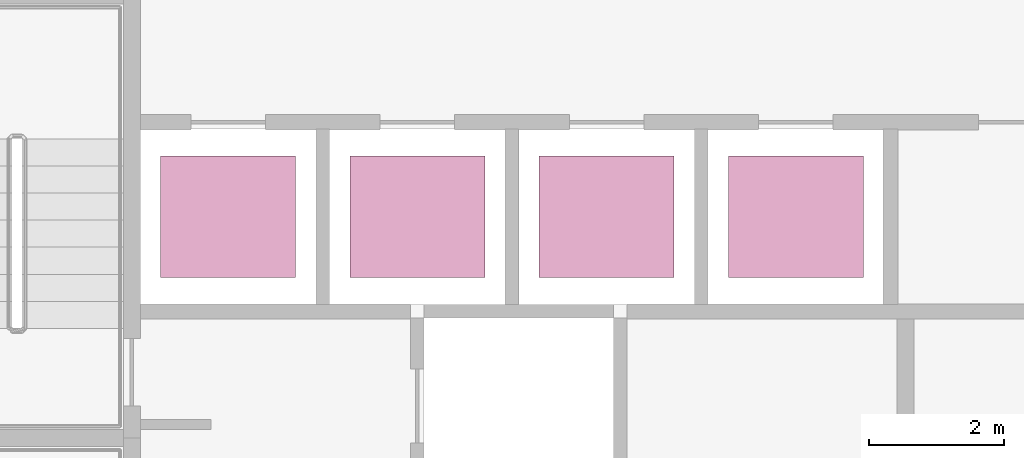
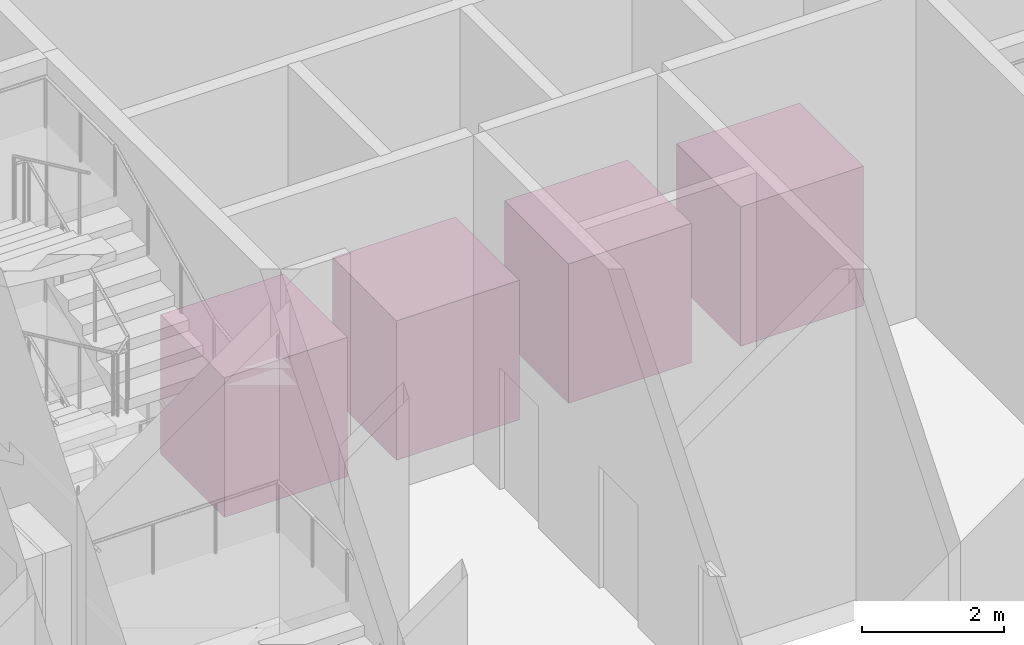
# One storey, part 32 of 32: 4 transport elements.
"""IFC4 building model written with IfcOpenShell, lengths in metres."""

import ifcopenshell
import ifcopenshell.guid

model = None  # the IFC model being written
_history = None  # IfcOwnerHistory: only IFC2X3 demands one
_inside = {}  # id of a spatial element -> (the spatial element, [elements in it])
_under = {}  # id of a project, library or spatial element -> (it, [spatial elements below it])
_declared = {}  # id of a project -> (the project, [libraries it declares])
_typed = {}  # id of a type object -> (the type object, [elements of that type])
_made_of = {}  # id of a material, layer set ... -> (it, [elements and type objects made of it])


def new_model(schema):
    """Start an empty IFC model of exactly this schema.

    Asked for "IFC4X3", IfcOpenShell would pick the latest addendum, in which some entities
    have other attributes; the version numbers below select the first issue.
    IFC2X3 requires an IfcOwnerHistory on every rooted entity: one is made here for all.
    """
    global model, _history
    if schema == "IFC4X3":
        model = ifcopenshell.file(schema_version=(4, 3, 0, 0))
    else:
        model = ifcopenshell.file(schema=schema)
    _inside.clear()
    _under.clear()
    _declared.clear()
    _typed.clear()
    _made_of.clear()
    _history = None
    if model.schema == "IFC2X3":
        org = make("IfcOrganization", Name="unknown")
        user = make(
            "IfcPersonAndOrganization",
            ThePerson=make("IfcPerson", FamilyName="unknown"),
            TheOrganization=org,
        )
        app = make(
            "IfcApplication",
            ApplicationDeveloper=org,
            Version="unknown",
            ApplicationFullName="unknown",
            ApplicationIdentifier="unknown",
        )
        _history = make(
            "IfcOwnerHistory",
            OwningUser=user,
            OwningApplication=app,
            ChangeAction="ADDED",
            CreationDate=0,
        )
    return model


def make(cls, **values):
    """One entity of the class cls with the attributes given. An attribute that is None is left unset."""
    return model.create_entity(
        cls, **{name: value for name, value in values.items() if value is not None}
    )


def rooted(cls, **values):
    """An entity with a GlobalId (a new one), such as an element, a storey or a relation."""
    return make(cls, GlobalId=ifcopenshell.guid.new(), OwnerHistory=_history, **values)


def si_unit(unit_type, name, prefix=None):
    """IfcSIUnit, for example si_unit("LENGTHUNIT", "METRE", prefix="MILLI")."""
    return make("IfcSIUnit", UnitType=unit_type, Prefix=prefix, Name=name)


def assignment(units):
    """IfcUnitAssignment: the units of a project."""
    return None if units is None else make("IfcUnitAssignment", Units=units)


def point(xyz):
    """IfcCartesianPoint."""
    return None if xyz is None else make("IfcCartesianPoint", Coordinates=xyz)


def direction(xyz):
    """IfcDirection."""
    return None if xyz is None else make("IfcDirection", DirectionRatios=xyz)


def frame(location, z_axis=None, x_axis=None):
    """IfcAxis2Placement3D, a coordinate frame: its origin and axes. An axis left out is left unset."""
    return make(
        "IfcAxis2Placement3D",
        Location=point(location),
        Axis=direction(z_axis),
        RefDirection=direction(x_axis),
    )


def frame_2d(location, x_axis=None):
    """IfcAxis2Placement2D, a coordinate frame in the plane: its origin and x axis."""
    return make(
        "IfcAxis2Placement2D", Location=point(location), RefDirection=direction(x_axis)
    )


def origin():
    """The frame at (0, 0, 0) with its axes left unset."""
    return frame((0.0, 0.0, 0.0))


def origin_2d():
    """The frame at (0, 0) in the plane with its x axis left unset."""
    return frame_2d((0.0, 0.0))


def place(relative_to, where):
    """IfcLocalPlacement: puts the frame where relative to a parent placement (None: the world)."""
    return make(
        "IfcLocalPlacement", PlacementRelTo=relative_to, RelativePlacement=where
    )


def context(
    kind, dimensions, precision=None, world=None, true_north=None, identifier=None
):
    """IfcGeometricRepresentationContext, for example the 3D "Model" context."""
    return make(
        "IfcGeometricRepresentationContext",
        ContextIdentifier=identifier,
        ContextType=kind,
        CoordinateSpaceDimension=dimensions,
        Precision=precision,
        WorldCoordinateSystem=world,
        TrueNorth=true_north,
    )


def subcontext(parent, identifier, kind, view, scale=None):
    """IfcGeometricRepresentationSubContext, for example "Body" below "Model"."""
    return make(
        "IfcGeometricRepresentationSubContext",
        ContextIdentifier=identifier,
        ContextType=kind,
        ParentContext=parent,
        TargetScale=scale,
        TargetView=view,
    )


def project(units=None, contexts=None):
    """IfcProject with its units and contexts."""
    return rooted(
        "IfcProject",
        Name="project",
        RepresentationContexts=contexts,
        UnitsInContext=assignment(units),
    )


def spatial(cls, under=None, at=None, **own):
    """A site, building, storey or space (cls), placed at a placement, below another one or the project."""
    s = rooted(cls, ObjectPlacement=at, **own)
    if under is not None:
        _under.setdefault(under.id(), (under, []))[1].append(s)
    return s


def profile(cls, at=None, kind="AREA", **sizes):
    """A parametric profile (cls). Its sizes go by their IFC names, for example OverallWidth=200.0."""
    return make(cls, ProfileType=kind, Position=at, **sizes)


def rectangle(**sizes):
    """IfcRectangleProfileDef."""
    return profile("IfcRectangleProfileDef", **sizes)


def extrude(swept, where, along, depth):
    """IfcExtrudedAreaSolid: the profile swept, set in the frame where, extruded along a direction by depth."""
    return make(
        "IfcExtrudedAreaSolid",
        SweptArea=swept,
        Position=where,
        ExtrudedDirection=direction(along),
        Depth=depth,
    )


def shape(context_of_items, identifier, shape_type, items):
    """IfcShapeRepresentation: the items that make up one representation, for example the "Body"."""
    return make(
        "IfcShapeRepresentation",
        ContextOfItems=context_of_items,
        RepresentationIdentifier=identifier,
        RepresentationType=shape_type,
        Items=items,
    )


def material(Name=None, Category=None):
    """IfcMaterial."""
    return make("IfcMaterial", Name=Name, Category=Category)


def made_of(thing, what):
    """Note that an element or type object is made of a material, layer set ...; save() writes the relation."""
    if what is not None:
        _made_of.setdefault(what.id(), (what, []))[1].append(thing)
    return thing


def type_object(cls, material=None, **own):
    """A type object (cls), such as IfcWallType, which elements share."""
    return made_of(rooted(cls, **own), material)


def element(
    cls,
    number,
    at=None,
    inside=None,
    cuts=None,
    type_object=None,
    material=None,
    context=None,
    identifier="Body",
    shape_type=None,
    held_by="IfcProductDefinitionShape",
    body=None,
    shapes=None,
    **own,
):
    """One element of the class cls, such as IfcWall. Its Tag is "e" and its number.

    at: its placement. inside: the storey or other place that contains it. cuts: it is an
    opening in that element (IfcRelVoidsElement). A single representation is given by context,
    identifier, shape_type and body (its items); several are given by shapes. held_by: the class
    of the entity that holds the representations. save() writes the other relations.
    """
    e = rooted(cls, Tag="e%d" % number, ObjectPlacement=at, **own)
    if body is not None:
        shapes = [shape(context, identifier, shape_type, body)]
    if shapes is not None:
        e.Representation = make(held_by, Representations=shapes)
    if inside is not None:
        _inside.setdefault(inside.id(), (inside, []))[1].append(e)
    if cuts is not None:
        rooted(
            "IfcRelVoidsElement", RelatingBuildingElement=cuts, RelatedOpeningElement=e
        )
    if type_object is not None:
        _typed.setdefault(type_object.id(), (type_object, []))[1].append(e)
    return made_of(e, material)


def aggregate(whole, parts):
    """IfcRelAggregates: a whole, such as a stair, and the parts it consists of."""
    return rooted("IfcRelAggregates", RelatingObject=whole, RelatedObjects=parts)


def save(model, path):
    """Write the relations noted so far, then the file.

    IfcRelAggregates (storeys below a building ...), IfcRelContainedInSpatialStructure (elements
    in a storey), IfcRelDefinesByType, IfcRelAssociatesMaterial and IfcRelDeclares: one each for
    every whole, place, type object, material and project.
    """
    for whole, parts in _under.values():
        aggregate(whole, parts)
    for where, things in _inside.values():
        rooted(
            "IfcRelContainedInSpatialStructure",
            RelatedElements=things,
            RelatingStructure=where,
        )
    for kind, things in _typed.values():
        rooted("IfcRelDefinesByType", RelatedObjects=things, RelatingType=kind)
    for what, things in _made_of.values():
        rooted("IfcRelAssociatesMaterial", RelatedObjects=things, RelatingMaterial=what)
    for by, libraries in _declared.values():
        rooted("IfcRelDeclares", RelatingContext=by, RelatedDefinitions=libraries)
    model.write(path)


model = new_model("IFC4")

# Units and contexts
model_context = context("Model", 3, precision=1e-05, world=origin(), true_north=direction((0.0, 1.0)))
body_context = subcontext(model_context, "Body", "Model", "MODEL_VIEW")
ifc_project = project(units=[si_unit("LENGTHUNIT", "METRE"), si_unit("AREAUNIT", "SQUARE_METRE"), si_unit("VOLUMEUNIT", "CUBIC_METRE"), si_unit("PLANEANGLEUNIT", "RADIAN"), si_unit("MASSUNIT", "GRAM", prefix="KILO")], contexts=[model_context])

# Site, building, storey
site_placement = place(None, origin())
site = spatial("IfcSite", under=ifc_project, at=site_placement, CompositionType="ELEMENT")
building_placement = place(site_placement, origin())
building = spatial("IfcBuilding", under=site, at=building_placement, Name="Welwitschia Terrace Campus", CompositionType="ELEMENT")
storey_placement = place(building_placement, origin())
storey = spatial("IfcBuildingStorey", under=building, at=storey_placement, Name="L00", CompositionType="ELEMENT", Elevation=0.0)

# Transport elements
ifc_material = material(Name="Stainless steel 304", Category="steel")
transport_element_type = type_object("IfcTransportElementType", Name="Lift car LR 1800 kg", PredefinedType="ELEVATOR", material=ifc_material)
for number, where, z_axis, x_axis, name in (
    (1, (10.699951171875, 15.10009765625, 0.0), (0.0, 0.0, 1.0), (1.0, 0.0, 0.0), "Lift LR1"),
    (2, (13.5, 15.10009765625, 0.0), (0.0, 0.0, 1.0), (1.0, 0.0, 0.0), "Lift LR2"),
    (3, (16.300048828125, 15.10009765625, 0.0), (0.0, 0.0, 1.0), (1.0, 0.0, 0.0), "Lift LR3"),
    (4, (19.10009765625, 15.10009765625, 0.0), (0.0, 0.0, 1.0), (1.0, 0.0, 0.0), "Lift LR4"),
):
    element("IfcTransportElement", number, at=place(storey_placement, frame(where, z_axis=z_axis, x_axis=x_axis)), inside=storey, type_object=transport_element_type, Name=name, PredefinedType="ELEVATOR", context=body_context, shape_type="SweptSolid", body=[
        extrude(rectangle(XDim=2.0, YDim=1.800048828125, at=origin_2d()), origin(), (0.0, 0.0, 1.0), 2.39990234375),
    ])

save(model, "model.ifc")
